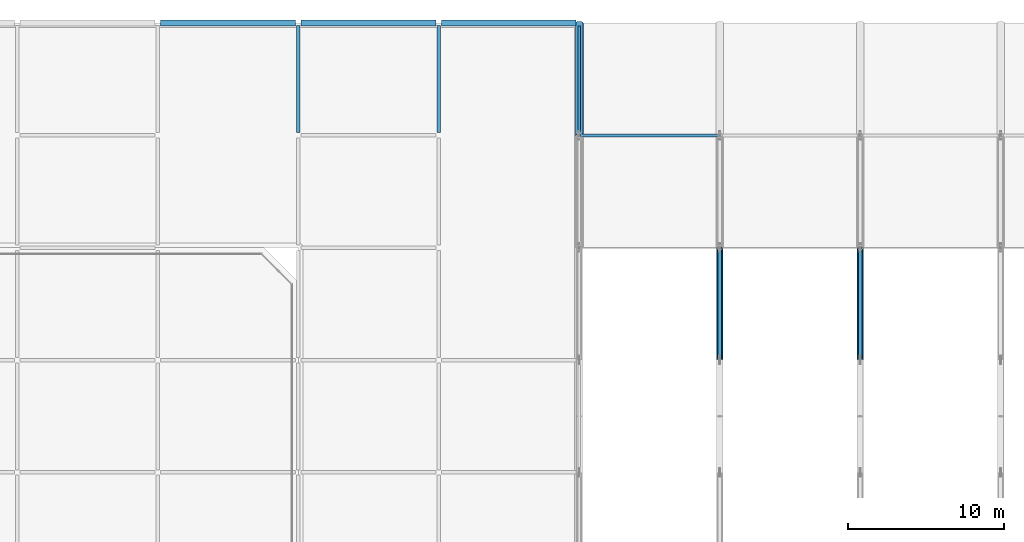
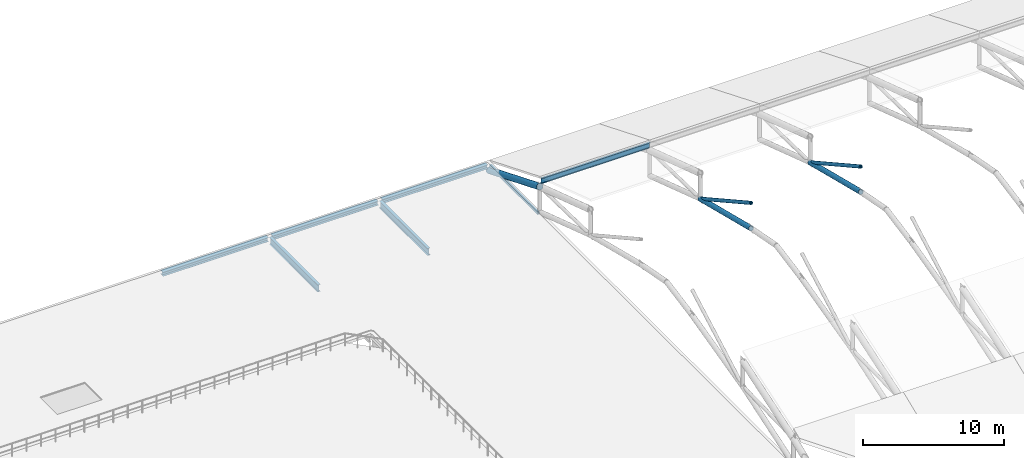
# One storey, part 49 of 78: 6 beams, 6 members.
"""IFC4 building model written with IfcOpenShell, lengths in metres."""

from ifc_helpers import new_model, si_unit, direction, frame, origin, origin_2d, place, context, subcontext, project, spatial, hollow_rectangle, hollow_circle, i_section, extrude, material, material_profile, profile_set, type_object, element, save


model = new_model("IFC4")

# Units and contexts
model_context = context("Model", 3, precision=1e-05, world=origin(), true_north=direction((0.0, 1.0)))
body_context = subcontext(model_context, "Body", "Model", "MODEL_VIEW")
ifc_project = project(units=[si_unit("LENGTHUNIT", "METRE"), si_unit("AREAUNIT", "SQUARE_METRE"), si_unit("VOLUMEUNIT", "CUBIC_METRE"), si_unit("PLANEANGLEUNIT", "RADIAN"), si_unit("MASSUNIT", "GRAM", prefix="KILO")], contexts=[model_context])

# Site, building, storey
site_placement = place(None, origin())
site = spatial("IfcSite", under=ifc_project, at=site_placement, CompositionType="ELEMENT")
building_placement = place(site_placement, origin())
building = spatial("IfcBuilding", under=site, at=building_placement, Name="Celestram Park Convention Centre", CompositionType="ELEMENT")
storey_placement = place(building_placement, frame((0.0, 0.0, 19.800048828125)))
storey = spatial("IfcBuildingStorey", under=building, at=storey_placement, Name="L04", CompositionType="ELEMENT", Elevation=19.800048828125)

# Beams
ifc_material_1 = material(Name="Steel ASTM A992 Grade 50", Category="steel")
ifc_material_profile_1 = material_profile(ifc_material_1, i_section(OverallWidth=0.22900390625, OverallDepth=0.612060546875, WebThickness=0.011962890625, FlangeThickness=0.01953125, at=origin_2d()), Name="W24X84")
ifc_profile_set_1 = profile_set([ifc_material_profile_1], Name="Steel ASTM A992 Grade 50")
beam_type_1 = type_object("IfcBeamType", Name="STR-BM-W24X84", PredefinedType="BEAM", material=ifc_profile_set_1)
for number, where, z_axis, x_axis, name in (
    (1, (135.0, 158.572998046875, -0.546142578125), (0.0, 1.0, 0.0), (-1.0, 0.0, 0.0), "Primary Y-girder BG-L04-0208"),
    (2, (144.0, 158.572998046875, -0.546142578125), (0.0, 1.0, 0.0), (-1.0, 0.0, 0.0), "Primary Y-girder BG-L04-0228"),
):
    element("IfcBeam", number, at=place(storey_placement, frame(where, z_axis=z_axis, x_axis=x_axis)), inside=storey, type_object=beam_type_1, Name=name, PredefinedType="BEAM", context=body_context, shape_type="SweptSolid", body=[
        extrude(i_section(OverallWidth=0.22900390625, OverallDepth=0.612060546875, WebThickness=0.011962890625, FlangeThickness=0.01953125, at=origin_2d()), origin(), (0.0, 0.0, 1.0), 6.85400390625),
    ])

# Members
ifc_material_2 = material(Name="Steel ASTM A500 Grade C", Category="steel")
ifc_material_profile_2 = material_profile(ifc_material_2, hollow_circle(Radius=0.136474609375, WallThickness=0.010009765625, at=origin_2d()), Name="CHS273X10")
ifc_profile_set_2 = profile_set([ifc_material_profile_2], Name="Steel ASTM A500 Grade C")
member_type_1 = type_object("IfcMemberType", Name="STR-BRC-CHS273", PredefinedType="BRACE", material=ifc_profile_set_2)
for number, where, z_axis, x_axis, name in (
    (3, (162.0, 144.0, 6.2294921875), (0.0, 0.874218793516, -0.485532183344), (-1.0, 0.0, 0.0), "V2 arch web diagonal"),
    (4, (171.0, 144.0, 6.2294921875), (0.0, 0.874218793516, -0.485532183344), (-1.0, 0.0, 0.0), "V2 arch web diagonal"),
):
    element("IfcMember", number, at=place(storey_placement, frame(where, z_axis=z_axis, x_axis=x_axis)), inside=storey, type_object=member_type_1, Name=name, PredefinedType="BRACE", context=body_context, shape_type="SweptSolid", body=[
        extrude(hollow_circle(Radius=0.136474609375, WallThickness=0.010009765625, at=origin_2d()), origin(), (0.0, 0.0, 1.0), 8.23583984375),
    ])
ifc_material_profile_3 = material_profile(ifc_material_2, hollow_circle(Radius=0.202880859375, WallThickness=0.013916015625, at=origin_2d()), Name="CHS406X14")
ifc_profile_set_3 = profile_set([ifc_material_profile_3], Name="Steel ASTM A500 Grade C")
member_type_2 = type_object("IfcMemberType", Name="STR-CHD-CHS406", PredefinedType="CHORD", material=ifc_profile_set_3)
for number, where, z_axis, x_axis, name in (
    (5, (162.0, 144.0, 4.029541015625), (0.0, 0.970179256757, -0.242388551212), (-1.0, 0.0, 0.0), "V2 arch bottom chord"),
    (6, (171.0, 144.0, 4.029541015625), (0.0, 0.970179256757, -0.242388551212), (-1.0, 0.0, 0.0), "V2 arch bottom chord"),
):
    element("IfcMember", number, at=place(storey_placement, frame(where, z_axis=z_axis, x_axis=x_axis)), inside=storey, type_object=member_type_2, Name=name, PredefinedType="CHORD", context=body_context, shape_type="SweptSolid", body=[
        extrude(hollow_circle(Radius=0.202880859375, WallThickness=0.013916015625, at=origin_2d()), origin(), (0.0, 0.0, 1.0), 7.421142578125),
    ])
ifc_material_profile_4 = material_profile(ifc_material_2, hollow_circle(Radius=0.25390625, WallThickness=0.01611328125, at=origin_2d()), Name="CHS508X16")
ifc_profile_set_4 = profile_set([ifc_material_profile_4], Name="Steel ASTM A500 Grade C")
member_type_3 = type_object("IfcMemberType", Name="STR-CHD-CHS508", PredefinedType="CHORD", material=ifc_profile_set_4)
member_1_placement = place(storey_placement, frame((153.0, 158.39990234375, 2.058837890625), z_axis=(0.0, 0.925578947987, -0.378554634159), x_axis=(-1.0, 0.0, 0.0)))
element("IfcMember", 7, at=member_1_placement, inside=storey, type_object=member_type_3, Name="V2 arch top chord", PredefinedType="CHORD", context=body_context, shape_type="SweptSolid", body=[
    extrude(hollow_circle(Radius=0.25390625, WallThickness=0.01611328125, at=origin_2d()), origin(), (0.0, 0.0, 1.0), 7.779052734375),
])
ifc_material_profile_5 = material_profile(ifc_material_1, i_section(OverallWidth=0.19091796875, OverallDepth=0.45703125, WebThickness=0.009033203125, FlangeThickness=0.014404296875, at=origin_2d()), Name="W18X50")
ifc_profile_set_5 = profile_set([ifc_material_profile_5], Name="Steel ASTM A992 Grade 50")
member_type_4 = type_object("IfcMemberType", Name="STR-RFT-W18X50", PredefinedType="RAFTER", material=ifc_profile_set_5)
member_2_placement = place(storey_placement, frame((153.080078125, 158.39990234375, 2.541259765625), z_axis=(1.0, 0.0, 0.0), x_axis=(0.0, 1.0, 0.0)))
element("IfcMember", 8, at=member_2_placement, inside=storey, type_object=member_type_4, Name="V2 roof purlin", PredefinedType="RAFTER", context=body_context, shape_type="SweptSolid", body=[
    extrude(i_section(OverallWidth=0.19091796875, OverallDepth=0.45703125, WebThickness=0.009033203125, FlangeThickness=0.014404296875, at=origin_2d()), origin(), (0.0, 0.0, 1.0), 8.919921875),
])

# Beams
ifc_material_profile_6 = material_profile(ifc_material_2, hollow_rectangle(XDim=0.14990234375, YDim=0.25, WallThickness=0.010009765625, at=origin_2d()), Name="HSS250X150X10")
ifc_profile_set_6 = profile_set([ifc_material_profile_6], Name="Steel ASTM A500 Grade C")
beam_type_2 = type_object("IfcBeamType", Name="STR-SPN-HSS250X150", PredefinedType="SPANDREL", material=ifc_profile_set_6)
beam_1_placement = place(storey_placement, frame((153.0, 158.597900390625, -0.364990234375), z_axis=(0.0, 1.0, 0.0), x_axis=(-1.0, 0.0, 0.0)))
element("IfcBeam", 9, at=beam_1_placement, inside=storey, type_object=beam_type_2, Name="Primary Y-girder BG-L04-0235", PredefinedType="SPANDREL", context=body_context, shape_type="SweptSolid", body=[
    extrude(hollow_rectangle(XDim=0.14990234375, YDim=0.25, WallThickness=0.010009765625, at=origin_2d()), origin(), (0.0, 0.0, 1.0), 6.80419921875),
])
ifc_material_profile_7 = material_profile(ifc_material_1, i_section(OverallWidth=0.367919921875, OverallDepth=0.35595703125, WebThickness=0.01123046875, FlangeThickness=0.01806640625, at=origin_2d()), Name="W14X90")
ifc_profile_set_7 = profile_set([ifc_material_profile_7], Name="Steel ASTM A992 Grade 50")
beam_type_3 = type_object("IfcBeamType", Name="STR-SPN-W14X90", PredefinedType="SPANDREL", material=ifc_profile_set_7)
for number, where, z_axis, x_axis, name in (
    (10, (126.173095703125, 165.60009765625, -0.41796875), (1.0, 0.0, 0.0), (0.0, 1.0, 0.0), "Primary X-girder BG-L04-0176"),
    (11, (135.173095703125, 165.60009765625, -0.41796875), (1.0, 0.0, 0.0), (0.0, 1.0, 0.0), "Primary X-girder BG-L04-0209"),
):
    element("IfcBeam", number, at=place(storey_placement, frame(where, z_axis=z_axis, x_axis=x_axis)), inside=storey, type_object=beam_type_3, Name=name, PredefinedType="SPANDREL", context=body_context, shape_type="SweptSolid", body=[
        extrude(i_section(OverallWidth=0.367919921875, OverallDepth=0.35595703125, WebThickness=0.01123046875, FlangeThickness=0.01806640625, at=origin_2d()), origin(), (0.0, 0.0, 1.0), 8.65380859375),
    ])
beam_2_placement = place(storey_placement, frame((144.173095703125, 165.60009765625, -0.41796875), z_axis=(1.0, 0.0, 0.0), x_axis=(0.0, 1.0, 0.0)))
element("IfcBeam", 12, at=beam_2_placement, inside=storey, type_object=beam_type_3, Name="Primary X-girder BG-L04-0229", PredefinedType="SPANDREL", context=body_context, shape_type="SweptSolid", body=[
    extrude(i_section(OverallWidth=0.367919921875, OverallDepth=0.35595703125, WebThickness=0.01123046875, FlangeThickness=0.01806640625, at=origin_2d()), origin(), (0.0, 0.0, 1.0), 8.62890625),
])

save(model, "model.ifc")
